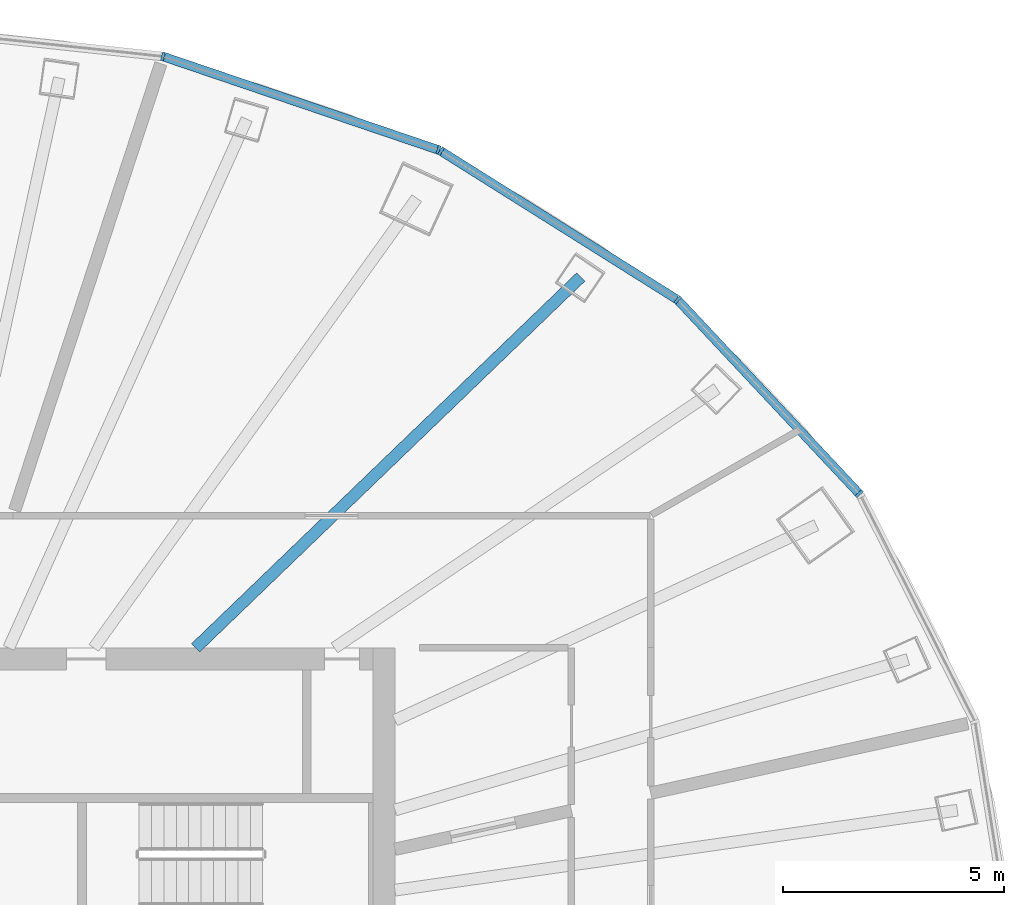
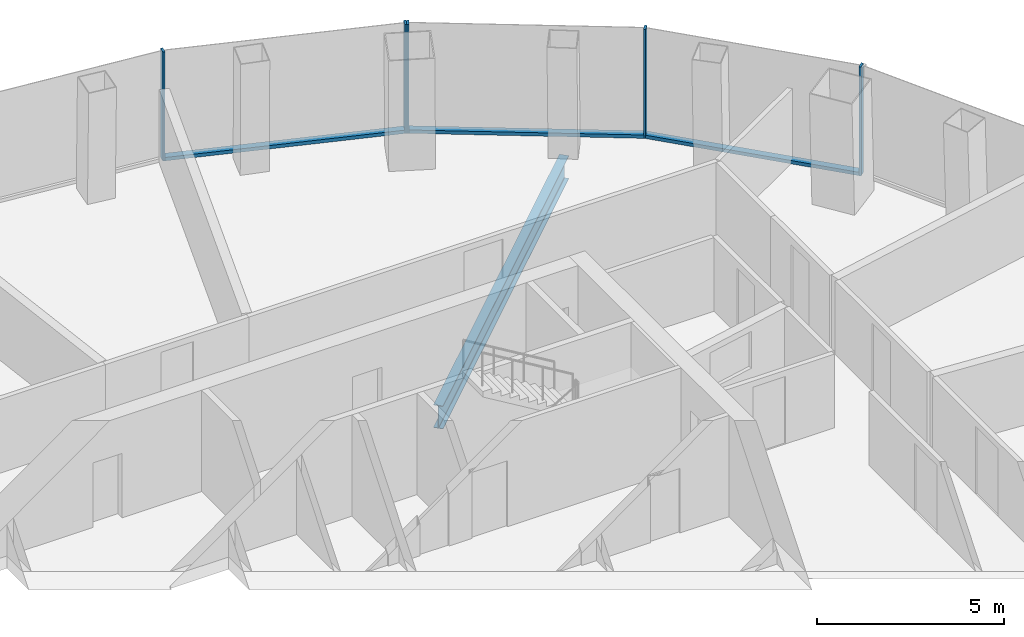
# One storey, part 6 of 12: 8 members, 1 beam, 2 elements without a shape of their own.
"""IFC4 building model written with IfcOpenShell, lengths in metres."""

import ifcopenshell
import ifcopenshell.guid

model = None  # the IFC model being written
_history = None  # IfcOwnerHistory: only IFC2X3 demands one
_inside = {}  # id of a spatial element -> (the spatial element, [elements in it])
_under = {}  # id of a project, library or spatial element -> (it, [spatial elements below it])
_declared = {}  # id of a project -> (the project, [libraries it declares])
_typed = {}  # id of a type object -> (the type object, [elements of that type])
_made_of = {}  # id of a material, layer set ... -> (it, [elements and type objects made of it])


def new_model(schema):
    """Start an empty IFC model of exactly this schema.

    Asked for "IFC4X3", IfcOpenShell would pick the latest addendum, in which some entities
    have other attributes; the version numbers below select the first issue.
    IFC2X3 requires an IfcOwnerHistory on every rooted entity: one is made here for all.
    """
    global model, _history
    if schema == "IFC4X3":
        model = ifcopenshell.file(schema_version=(4, 3, 0, 0))
    else:
        model = ifcopenshell.file(schema=schema)
    _inside.clear()
    _under.clear()
    _declared.clear()
    _typed.clear()
    _made_of.clear()
    _history = None
    if model.schema == "IFC2X3":
        org = make("IfcOrganization", Name="unknown")
        user = make(
            "IfcPersonAndOrganization",
            ThePerson=make("IfcPerson", FamilyName="unknown"),
            TheOrganization=org,
        )
        app = make(
            "IfcApplication",
            ApplicationDeveloper=org,
            Version="unknown",
            ApplicationFullName="unknown",
            ApplicationIdentifier="unknown",
        )
        _history = make(
            "IfcOwnerHistory",
            OwningUser=user,
            OwningApplication=app,
            ChangeAction="ADDED",
            CreationDate=0,
        )
    return model


def make(cls, **values):
    """One entity of the class cls with the attributes given. An attribute that is None is left unset."""
    return model.create_entity(
        cls, **{name: value for name, value in values.items() if value is not None}
    )


def rooted(cls, **values):
    """An entity with a GlobalId (a new one), such as an element, a storey or a relation."""
    return make(cls, GlobalId=ifcopenshell.guid.new(), OwnerHistory=_history, **values)


def si_unit(unit_type, name, prefix=None):
    """IfcSIUnit, for example si_unit("LENGTHUNIT", "METRE", prefix="MILLI")."""
    return make("IfcSIUnit", UnitType=unit_type, Prefix=prefix, Name=name)


def assignment(units):
    """IfcUnitAssignment: the units of a project."""
    return None if units is None else make("IfcUnitAssignment", Units=units)


def point(xyz):
    """IfcCartesianPoint."""
    return None if xyz is None else make("IfcCartesianPoint", Coordinates=xyz)


def direction(xyz):
    """IfcDirection."""
    return None if xyz is None else make("IfcDirection", DirectionRatios=xyz)


def frame(location, z_axis=None, x_axis=None):
    """IfcAxis2Placement3D, a coordinate frame: its origin and axes. An axis left out is left unset."""
    return make(
        "IfcAxis2Placement3D",
        Location=point(location),
        Axis=direction(z_axis),
        RefDirection=direction(x_axis),
    )


def frame_2d(location, x_axis=None):
    """IfcAxis2Placement2D, a coordinate frame in the plane: its origin and x axis."""
    return make(
        "IfcAxis2Placement2D", Location=point(location), RefDirection=direction(x_axis)
    )


def origin():
    """The frame at (0, 0, 0) with its axes left unset."""
    return frame((0.0, 0.0, 0.0))


def origin_2d():
    """The frame at (0, 0) in the plane with its x axis left unset."""
    return frame_2d((0.0, 0.0))


def place(relative_to, where):
    """IfcLocalPlacement: puts the frame where relative to a parent placement (None: the world)."""
    return make(
        "IfcLocalPlacement", PlacementRelTo=relative_to, RelativePlacement=where
    )


def context(
    kind, dimensions, precision=None, world=None, true_north=None, identifier=None
):
    """IfcGeometricRepresentationContext, for example the 3D "Model" context."""
    return make(
        "IfcGeometricRepresentationContext",
        ContextIdentifier=identifier,
        ContextType=kind,
        CoordinateSpaceDimension=dimensions,
        Precision=precision,
        WorldCoordinateSystem=world,
        TrueNorth=true_north,
    )


def subcontext(parent, identifier, kind, view, scale=None):
    """IfcGeometricRepresentationSubContext, for example "Body" below "Model"."""
    return make(
        "IfcGeometricRepresentationSubContext",
        ContextIdentifier=identifier,
        ContextType=kind,
        ParentContext=parent,
        TargetScale=scale,
        TargetView=view,
    )


def project(units=None, contexts=None):
    """IfcProject with its units and contexts."""
    return rooted(
        "IfcProject",
        Name="project",
        RepresentationContexts=contexts,
        UnitsInContext=assignment(units),
    )


def spatial(cls, under=None, at=None, **own):
    """A site, building, storey or space (cls), placed at a placement, below another one or the project."""
    s = rooted(cls, ObjectPlacement=at, **own)
    if under is not None:
        _under.setdefault(under.id(), (under, []))[1].append(s)
    return s


def profile(cls, at=None, kind="AREA", **sizes):
    """A parametric profile (cls). Its sizes go by their IFC names, for example OverallWidth=200.0."""
    return make(cls, ProfileType=kind, Position=at, **sizes)


def rectangle(**sizes):
    """IfcRectangleProfileDef."""
    return profile("IfcRectangleProfileDef", **sizes)


def i_section(**sizes):
    """IfcIShapeProfileDef."""
    return profile("IfcIShapeProfileDef", **sizes)


def extrude(swept, where, along, depth):
    """IfcExtrudedAreaSolid: the profile swept, set in the frame where, extruded along a direction by depth."""
    return make(
        "IfcExtrudedAreaSolid",
        SweptArea=swept,
        Position=where,
        ExtrudedDirection=direction(along),
        Depth=depth,
    )


def shape(context_of_items, identifier, shape_type, items):
    """IfcShapeRepresentation: the items that make up one representation, for example the "Body"."""
    return make(
        "IfcShapeRepresentation",
        ContextOfItems=context_of_items,
        RepresentationIdentifier=identifier,
        RepresentationType=shape_type,
        Items=items,
    )


def material(Name=None, Category=None):
    """IfcMaterial."""
    return make("IfcMaterial", Name=Name, Category=Category)


def layer(
    of_material, thickness, ventilated=None, Name=None, Category=None, Priority=None
):
    """IfcMaterialLayer: one layer of a wall or slab, of a material (None: an air gap)."""
    return make(
        "IfcMaterialLayer",
        Material=of_material,
        LayerThickness=thickness,
        IsVentilated=ventilated,
        Name=Name,
        Category=Category,
        Priority=Priority,
    )


def layer_set(layers, Name=None):
    """IfcMaterialLayerSet."""
    return make("IfcMaterialLayerSet", MaterialLayers=layers, LayerSetName=Name)


def material_profile(
    of_material, cross_section, Name=None, Category=None, Priority=None
):
    """IfcMaterialProfile: a cross section and its material."""
    return make(
        "IfcMaterialProfile",
        Name=Name,
        Material=of_material,
        Profile=cross_section,
        Priority=Priority,
        Category=Category,
    )


def profile_set(profiles, Name=None, composite=None):
    """IfcMaterialProfileSet."""
    return make(
        "IfcMaterialProfileSet",
        Name=Name,
        MaterialProfiles=profiles,
        CompositeProfile=composite,
    )


def made_of(thing, what):
    """Note that an element or type object is made of a material, layer set ...; save() writes the relation."""
    if what is not None:
        _made_of.setdefault(what.id(), (what, []))[1].append(thing)
    return thing


def type_object(cls, material=None, **own):
    """A type object (cls), such as IfcWallType, which elements share."""
    return made_of(rooted(cls, **own), material)


def element(
    cls,
    number,
    at=None,
    inside=None,
    cuts=None,
    type_object=None,
    material=None,
    context=None,
    identifier="Body",
    shape_type=None,
    held_by="IfcProductDefinitionShape",
    body=None,
    shapes=None,
    **own,
):
    """One element of the class cls, such as IfcWall. Its Tag is "e" and its number.

    at: its placement. inside: the storey or other place that contains it. cuts: it is an
    opening in that element (IfcRelVoidsElement). A single representation is given by context,
    identifier, shape_type and body (its items); several are given by shapes. held_by: the class
    of the entity that holds the representations. save() writes the other relations.
    """
    e = rooted(cls, Tag="e%d" % number, ObjectPlacement=at, **own)
    if body is not None:
        shapes = [shape(context, identifier, shape_type, body)]
    if shapes is not None:
        e.Representation = make(held_by, Representations=shapes)
    if inside is not None:
        _inside.setdefault(inside.id(), (inside, []))[1].append(e)
    if cuts is not None:
        rooted(
            "IfcRelVoidsElement", RelatingBuildingElement=cuts, RelatedOpeningElement=e
        )
    if type_object is not None:
        _typed.setdefault(type_object.id(), (type_object, []))[1].append(e)
    return made_of(e, material)


def aggregate(whole, parts):
    """IfcRelAggregates: a whole, such as a stair, and the parts it consists of."""
    return rooted("IfcRelAggregates", RelatingObject=whole, RelatedObjects=parts)


def save(model, path):
    """Write the relations noted so far, then the file.

    IfcRelAggregates (storeys below a building ...), IfcRelContainedInSpatialStructure (elements
    in a storey), IfcRelDefinesByType, IfcRelAssociatesMaterial and IfcRelDeclares: one each for
    every whole, place, type object, material and project.
    """
    for whole, parts in _under.values():
        aggregate(whole, parts)
    for where, things in _inside.values():
        rooted(
            "IfcRelContainedInSpatialStructure",
            RelatedElements=things,
            RelatingStructure=where,
        )
    for kind, things in _typed.values():
        rooted("IfcRelDefinesByType", RelatedObjects=things, RelatingType=kind)
    for what, things in _made_of.values():
        rooted("IfcRelAssociatesMaterial", RelatedObjects=things, RelatingMaterial=what)
    for by, libraries in _declared.values():
        rooted("IfcRelDeclares", RelatingContext=by, RelatedDefinitions=libraries)
    model.write(path)


model = new_model("IFC4")

# Units and contexts
model_context = context("Model", 3, precision=1e-05, world=origin(), true_north=direction((0.0, 1.0)))
body_context = subcontext(model_context, "Body", "Model", "MODEL_VIEW")
ifc_project = project(units=[si_unit("LENGTHUNIT", "METRE"), si_unit("AREAUNIT", "SQUARE_METRE"), si_unit("VOLUMEUNIT", "CUBIC_METRE"), si_unit("PLANEANGLEUNIT", "RADIAN"), si_unit("MASSUNIT", "GRAM", prefix="KILO")], contexts=[model_context])

# Site, building, storey
site_placement = place(None, origin())
site = spatial("IfcSite", under=ifc_project, at=site_placement, CompositionType="ELEMENT")
building_placement = place(site_placement, origin())
building = spatial("IfcBuilding", under=site, at=building_placement, Name="Siaravel Broadcast Tower", CompositionType="ELEMENT")
storey_placement = place(building_placement, frame((0.0, 0.0, 104.5)))
storey = spatial("IfcBuildingStorey", under=building, at=storey_placement, Name="L24", CompositionType="ELEMENT", Elevation=104.5)

# Beam
ifc_material_1 = material(Name="Steel S355", Category="steel")
ifc_material_profile_1 = material_profile(ifc_material_1, i_section(OverallWidth=0.26513671875, OverallDepth=0.75390625, WebThickness=0.0126953125, FlangeThickness=0.017578125, FilletRadius=0.0166015625, at=origin_2d()))
ifc_profile_set_1 = profile_set([ifc_material_profile_1], Name="Steel S355")
beam_type = type_object("IfcBeamType", Name="BM-UB 762x267x147", PredefinedType="BEAM", material=ifc_profile_set_1)
beam_placement = place(storey_placement, frame((16.21142578125, 15.6083984375, -0.52685546875), z_axis=(-0.720372012, -0.693587892, 0.0), x_axis=(0.693587892, -0.720372012, 0.0)))
element("IfcBeam", 1, at=beam_placement, inside=storey, type_object=beam_type, Name="Radial beam RB06", PredefinedType="BEAM", context=body_context, shape_type="SweptSolid", body=[
    extrude(i_section(OverallWidth=0.26513671875, OverallDepth=0.75390625, WebThickness=0.0126953125, FlangeThickness=0.017578125, FilletRadius=0.0166015625, at=origin_2d()), origin(), (0.0, 0.0, 1.0), 12.123046875),
])

# Curtain wall, members
ifc_material_2 = material(Name="Aluminium 6063-T6", Category="aluminium")
ifc_layer = layer(ifc_material_2, 0.199951171875)
ifc_layer_set = layer_set([ifc_layer], Name="Aluminium 6063-T6")
curtain_wall_type = type_object("IfcCurtainWallType", Name="Unitised curtain wall, zone 2", PredefinedType="NOTDEFINED", material=ifc_layer_set)
curtain_wall_1_placement = place(storey_placement, origin())
curtain_wall_1 = element("IfcCurtainWall", 2, at=curtain_wall_1_placement, inside=storey, type_object=curtain_wall_type, Name="L24 Unitised curtain wall, zone 2 02", PredefinedType="NOTDEFINED")
ifc_material_profile_2 = material_profile(ifc_material_2, rectangle(XDim=0.199951171875, YDim=0.06494140625, at=origin_2d()))
ifc_profile_set_2 = profile_set([ifc_material_profile_2], Name="Aluminium 6063-T6")
member_type_1 = type_object("IfcMemberType", Name="CW-Z2 mullion", PredefinedType="MULLION", material=ifc_profile_set_2)
member_1_placement = place(storey_placement, frame((22.526123046875, 10.69677734375, 0.0), z_axis=(0.0, 0.0, 1.0), x_axis=(-0.729804854, -0.683655524, 0.0)))
member_1 = element("IfcMember", 3, at=member_1_placement, type_object=member_type_1, Name="CW-Z2 mullion 1", PredefinedType="MULLION", context=body_context, shape_type="SweptSolid", body=[
    extrude(rectangle(XDim=0.199951171875, YDim=0.06494140625, at=origin_2d()), origin(), (0.0, 0.0, 1.0), 3.550048828125),
])
member_2_placement = place(storey_placement, frame((18.408935546875, 15.091796875, 0.0), z_axis=(0.0, 0.0, 1.0), x_axis=(-0.636218267, -0.771509117, 0.0)))
member_2 = element("IfcMember", 4, at=member_2_placement, type_object=member_type_1, Name="CW-Z2 mullion 2", PredefinedType="MULLION", context=body_context, shape_type="SweptSolid", body=[
    extrude(rectangle(XDim=0.199951171875, YDim=0.06494140625, at=origin_2d()), origin(), (0.0, 0.0, 1.0), 3.550048828125),
])
member_3_placement = place(storey_placement, frame((13.043701171875, 18.464111328125, 0.0), z_axis=(0.0, 0.0, 1.0), x_axis=(-0.5321489, -0.846650783, 0.0)))
member_3 = element("IfcMember", 5, at=member_3_placement, type_object=member_type_1, Name="CW-Z2 mullion 3", PredefinedType="MULLION", context=body_context, shape_type="SweptSolid", body=[
    extrude(rectangle(XDim=0.199951171875, YDim=0.06494140625, at=origin_2d()), origin(), (0.0, 0.0, 1.0), 3.550048828125),
])

curtain_wall_2_placement = place(storey_placement, origin())
curtain_wall_2 = element("IfcCurtainWall", 6, at=curtain_wall_2_placement, inside=storey, type_object=curtain_wall_type, Name="L24 Unitised curtain wall, zone 2 03", PredefinedType="NOTDEFINED")
member_4_placement = place(storey_placement, frame((12.9853515625, 18.491943359375, 0.0), z_axis=(0.0, 0.0, 1.0), x_axis=(-0.321300433, -0.946977313, 0.0)))
member_4 = element("IfcMember", 7, at=member_4_placement, type_object=member_type_1, Name="CW-Z2 mullion 1", PredefinedType="MULLION", context=body_context, shape_type="SweptSolid", body=[
    extrude(rectangle(XDim=0.199951171875, YDim=0.06494140625, at=origin_2d()), origin(), (0.0, 0.0, 1.0), 3.550048828125),
])
member_5_placement = place(storey_placement, frame((6.7373046875, 20.61181640625, 0.0), z_axis=(0.0, 0.0, 1.0), x_axis=(-0.215557941, -0.976491052, 0.0)))
member_5 = element("IfcMember", 8, at=member_5_placement, type_object=member_type_1, Name="CW-Z2 mullion 2", PredefinedType="MULLION", context=body_context, shape_type="SweptSolid", body=[
    extrude(rectangle(XDim=0.199951171875, YDim=0.06494140625, at=origin_2d()), origin(), (0.0, 0.0, 1.0), 3.550048828125),
])

# Member
ifc_material_profile_3 = material_profile(ifc_material_2, rectangle(XDim=0.199951171875, YDim=0.110107421875, at=origin_2d()))
ifc_profile_set_3 = profile_set([ifc_material_profile_3], Name="Aluminium 6063-T6")
member_type_2 = type_object("IfcMemberType", Name="CW-Z2 transom", PredefinedType="USERDEFINED", material=ifc_profile_set_3)
member_6_placement = place(storey_placement, frame((22.50390625, 10.720458984375, 0.054931640625), z_axis=(-0.6836357, 0.729823424, 0.0), x_axis=(-0.729823424, -0.6836357, 0.0)))
member_6 = element("IfcMember", 9, at=member_6_placement, type_object=member_type_2, Name="CW-Z2 transom 1", ObjectType="TRANSOM", PredefinedType="USERDEFINED", context=body_context, shape_type="SweptSolid", body=[
    extrude(rectangle(XDim=0.199951171875, YDim=0.110107421875, at=origin_2d()), origin(), (0.0, 0.0, 1.0), 5.95703125),
])

member_7_placement = place(storey_placement, frame((18.381591796875, 15.109130859375, 0.054931640625), z_axis=(-0.846655089, 0.532142049, 0.0), x_axis=(-0.532142049, -0.846655089, 0.0)))
member_7 = element("IfcMember", 10, at=member_7_placement, type_object=member_type_2, Name="CW-Z2 transom 2", ObjectType="TRANSOM", PredefinedType="USERDEFINED", context=body_context, shape_type="SweptSolid", body=[
    extrude(rectangle(XDim=0.199951171875, YDim=0.110107421875, at=origin_2d()), origin(), (0.0, 0.0, 1.0), 6.272216796875),
])

aggregate(curtain_wall_1, [member_1, member_2, member_3, member_6, member_7])

member_8_placement = place(storey_placement, frame((12.95458984375, 18.502197265625, 0.054931640625), z_axis=(-0.946973015, 0.321313101, 0.0), x_axis=(-0.321313101, -0.946973015, 0.0)))
member_8 = element("IfcMember", 11, at=member_8_placement, type_object=member_type_2, Name="CW-Z2 transom 1", ObjectType="TRANSOM", PredefinedType="USERDEFINED", context=body_context, shape_type="SweptSolid", body=[
    extrude(rectangle(XDim=0.199951171875, YDim=0.110107421875, at=origin_2d()), origin(), (0.0, 0.0, 1.0), 6.532958984375),
])

aggregate(curtain_wall_2, [member_4, member_5, member_8])

save(model, "model.ifc")
